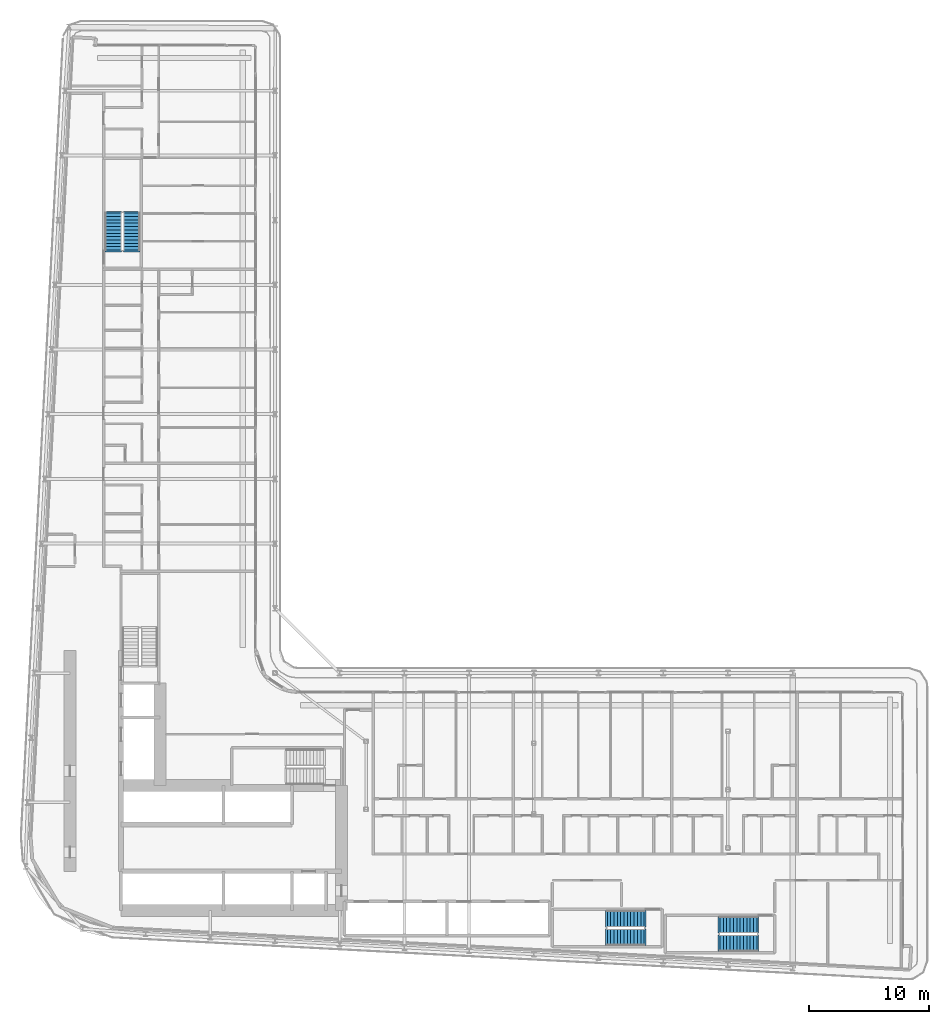
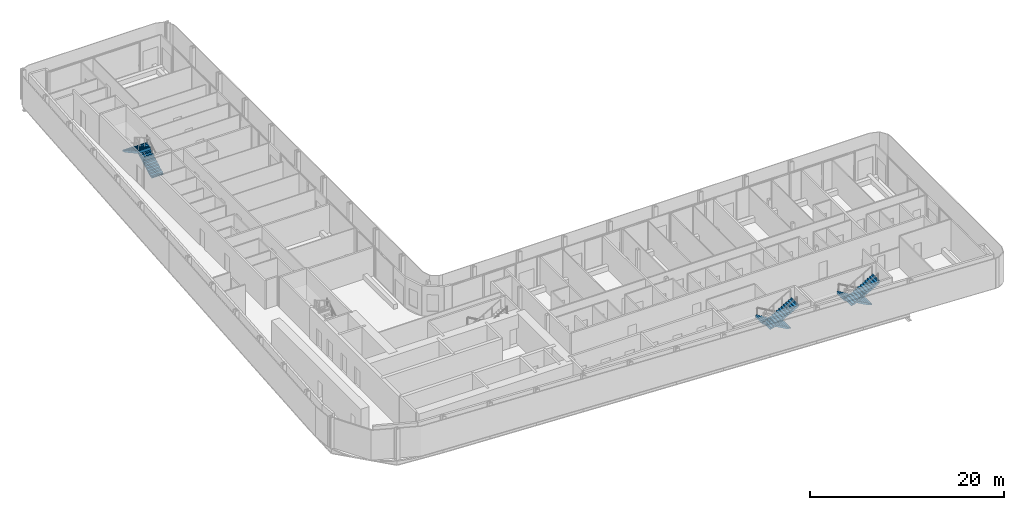
# One storey, part 21 of 28: 6 stair flights, 3 elements without a shape of their own.
"""IFC4 building model written with IfcOpenShell, lengths in metres."""

from ifc_helpers import new_model, si_unit, direction, frame, origin, place, context, subcontext, project, spatial, polyline, outline, extrude, material, layer, layer_set, type_object, element, aggregate, save


model = new_model("IFC4")

# Units and contexts
model_context = context("Model", 3, precision=1e-05, world=origin(), true_north=direction((0.0, 1.0)))
body_context = subcontext(model_context, "Body", "Model", "MODEL_VIEW")
ifc_project = project(units=[si_unit("LENGTHUNIT", "METRE"), si_unit("AREAUNIT", "SQUARE_METRE"), si_unit("VOLUMEUNIT", "CUBIC_METRE"), si_unit("PLANEANGLEUNIT", "RADIAN"), si_unit("MASSUNIT", "GRAM", prefix="KILO")], contexts=[model_context])

# Site, building, storey
site_placement = place(None, origin())
site = spatial("IfcSite", under=ifc_project, at=site_placement, CompositionType="ELEMENT")
building_placement = place(site_placement, origin())
building = spatial("IfcBuilding", under=site, at=building_placement, Name="Kheshtan School and Residences Tower", CompositionType="ELEMENT")
storey_placement = place(building_placement, frame((0.0, 0.0, 73.39990234375)))
storey = spatial("IfcBuildingStorey", under=building, at=storey_placement, Name="L17", CompositionType="ELEMENT", Elevation=73.39990234375)

# Stair, stair flights
ifc_material = material(Name="Concrete C40/50", Category="concrete")
stair_type = type_object("IfcStairType", Name="Exit stair, half-turn", PredefinedType="HALF_TURN_STAIR", material=ifc_material)
stair_1_placement = place(storey_placement, origin())
stair_1 = element("IfcStair", 1, at=stair_1_placement, inside=storey, type_object=stair_type, Name="L17 Protected Exit Stair ST3", PredefinedType="HALF_TURN_STAIR")
ifc_layer = layer(ifc_material, 0.14990234375)
ifc_layer_set = layer_set([ifc_layer], Name="Stair flight 1400 Concrete C40/50")
stair_flight_type = type_object("IfcStairFlightType", Name="Stair flight 1400 Concrete C40/50", PredefinedType="STRAIGHT", material=ifc_layer_set)
stair_flight_1_placement = place(storey_placement, frame((35.64990234375, 80.89990234375, 0.0), z_axis=(0.0, 0.0, 1.0), x_axis=(0.0, 1.0, 0.0)))
stair_flight_1 = element("IfcStairFlight", 2, at=stair_flight_1_placement, type_object=stair_flight_type, Name="ST3 flight 1", NumberOfRisers=12, NumberOfTreads=11, PredefinedType="STRAIGHT", RiserHeight=0.1625, TreadLength=0.28, context=body_context, shape_type="SweptSolid", body=[
    extrude(outline(polyline([(-0.14990234375, -0.10009765625), (-0.14990234375, 0.0), (0.0, 0.0), (0.0, 0.16259765625), (0.280029296875, 0.16259765625), (0.280029296875, 0.324951171875), (0.56005859375, 0.324951171875), (0.56005859375, 0.487548828125), (0.840087890625, 0.487548828125), (0.840087890625, 0.64990234375), (1.1201171875, 0.64990234375), (1.1201171875, 0.8125), (1.39990234375, 0.8125), (1.39990234375, 0.97509765625), (1.679931640625, 0.97509765625), (1.679931640625, 1.137451171875), (1.9599609375, 1.137451171875), (1.9599609375, 1.300048828125), (2.239990234375, 1.300048828125), (2.239990234375, 1.46240234375), (2.52001953125, 1.46240234375), (2.52001953125, 1.625), (2.800048828125, 1.625), (2.800048828125, 1.78759765625), (3.080078125, 1.78759765625), (3.080078125, 1.949951171875), (3.080078125, 1.969970703125), (3.22998046875, 1.969970703125), (3.22998046875, 1.6142578125), (0.298583984375, 0.0), (-0.14990234375, -0.10009765625)])), frame((0.0, 0.699951171875, 0.0), z_axis=(0.0, -1.0, 0.0), x_axis=(1.0, 0.0, 0.0)), (0.0, 0.0, 1.0), 1.39990234375),
])
stair_flight_2_placement = place(storey_placement, frame((34.10009765625, 83.97998046875, 1.9501953125), z_axis=(0.0, 0.0, 1.0), x_axis=(0.0, -1.0, 0.0)))
stair_flight_2 = element("IfcStairFlight", 3, at=stair_flight_2_placement, type_object=stair_flight_type, Name="ST3 flight 2", NumberOfRisers=12, NumberOfTreads=11, PredefinedType="STRAIGHT", RiserHeight=0.1625, TreadLength=0.28, context=body_context, shape_type="SweptSolid", body=[
    extrude(outline(polyline([(-0.14990234375, -0.10009765625), (-0.14990234375, 0.0), (0.0, 0.0), (0.0, 0.16259765625), (0.280029296875, 0.16259765625), (0.280029296875, 0.324951171875), (0.56005859375, 0.324951171875), (0.56005859375, 0.487548828125), (0.840087890625, 0.487548828125), (0.840087890625, 0.64990234375), (1.1201171875, 0.64990234375), (1.1201171875, 0.8125), (1.39990234375, 0.8125), (1.39990234375, 0.97509765625), (1.679931640625, 0.97509765625), (1.679931640625, 1.137451171875), (1.9599609375, 1.137451171875), (1.9599609375, 1.300048828125), (2.239990234375, 1.300048828125), (2.239990234375, 1.46240234375), (2.52001953125, 1.46240234375), (2.52001953125, 1.625), (2.800048828125, 1.625), (2.800048828125, 1.78759765625), (3.080078125, 1.78759765625), (3.080078125, 1.949951171875), (3.080078125, 1.969970703125), (3.22998046875, 1.969970703125), (3.22998046875, 1.6142578125), (0.298583984375, 0.0), (-0.14990234375, -0.10009765625)])), frame((0.0, 0.699951171875, 0.0), z_axis=(0.0, -1.0, 0.0), x_axis=(1.0, 0.0, 0.0)), (0.0, 0.0, 1.0), 1.39990234375),
])
aggregate(stair_1, [stair_flight_1, stair_flight_2])

stair_2_placement = place(storey_placement, origin())
stair_2 = element("IfcStair", 4, at=stair_2_placement, inside=storey, type_object=stair_type, Name="L17 Protected Exit Stair ST4", PredefinedType="HALF_TURN_STAIR")
stair_flight_3_placement = place(storey_placement, frame((87.820068359375, 24.60009765625, 0.0), z_axis=(0.0, 0.0, 1.0), x_axis=(-1.0, 0.0, 0.0)))
stair_flight_3 = element("IfcStairFlight", 5, at=stair_flight_3_placement, type_object=stair_flight_type, Name="ST4 flight 1", NumberOfRisers=12, NumberOfTreads=11, PredefinedType="STRAIGHT", RiserHeight=0.1625, TreadLength=0.28, context=body_context, shape_type="SweptSolid", body=[
    extrude(outline(polyline([(-0.14990234375, -0.10009765625), (-0.14990234375, 0.0), (0.0, 0.0), (0.0, 0.16259765625), (0.280029296875, 0.16259765625), (0.280029296875, 0.324951171875), (0.56005859375, 0.324951171875), (0.56005859375, 0.487548828125), (0.840087890625, 0.487548828125), (0.840087890625, 0.64990234375), (1.1201171875, 0.64990234375), (1.1201171875, 0.8125), (1.39990234375, 0.8125), (1.39990234375, 0.97509765625), (1.679931640625, 0.97509765625), (1.679931640625, 1.137451171875), (1.9599609375, 1.137451171875), (1.9599609375, 1.300048828125), (2.239990234375, 1.300048828125), (2.239990234375, 1.46240234375), (2.52001953125, 1.46240234375), (2.52001953125, 1.625), (2.800048828125, 1.625), (2.800048828125, 1.78759765625), (3.080078125, 1.78759765625), (3.080078125, 1.949951171875), (3.080078125, 1.969970703125), (3.22998046875, 1.969970703125), (3.22998046875, 1.6142578125), (0.298583984375, 0.0), (-0.14990234375, -0.10009765625)])), frame((0.0, 0.699951171875, 0.0), z_axis=(0.0, -1.0, 0.0), x_axis=(1.0, 0.0, 0.0)), (0.0, 0.0, 1.0), 1.39990234375),
])
stair_flight_4_placement = place(storey_placement, frame((84.739990234375, 23.050048828125, 1.9501953125), z_axis=(0.0, 0.0, 1.0), x_axis=(1.0, 0.0, 0.0)))
stair_flight_4 = element("IfcStairFlight", 6, at=stair_flight_4_placement, type_object=stair_flight_type, Name="ST4 flight 2", NumberOfRisers=12, NumberOfTreads=11, PredefinedType="STRAIGHT", RiserHeight=0.1625, TreadLength=0.28, context=body_context, shape_type="SweptSolid", body=[
    extrude(outline(polyline([(-0.14990234375, -0.10009765625), (-0.14990234375, 0.0), (0.0, 0.0), (0.0, 0.16259765625), (0.280029296875, 0.16259765625), (0.280029296875, 0.324951171875), (0.56005859375, 0.324951171875), (0.56005859375, 0.487548828125), (0.840087890625, 0.487548828125), (0.840087890625, 0.64990234375), (1.1201171875, 0.64990234375), (1.1201171875, 0.8125), (1.39990234375, 0.8125), (1.39990234375, 0.97509765625), (1.679931640625, 0.97509765625), (1.679931640625, 1.137451171875), (1.9599609375, 1.137451171875), (1.9599609375, 1.300048828125), (2.239990234375, 1.300048828125), (2.239990234375, 1.46240234375), (2.52001953125, 1.46240234375), (2.52001953125, 1.625), (2.800048828125, 1.625), (2.800048828125, 1.78759765625), (3.080078125, 1.78759765625), (3.080078125, 1.949951171875), (3.080078125, 1.969970703125), (3.22998046875, 1.969970703125), (3.22998046875, 1.6142578125), (0.298583984375, 0.0), (-0.14990234375, -0.10009765625)])), frame((0.0, 0.699951171875, 0.0), z_axis=(0.0, -1.0, 0.0), x_axis=(1.0, 0.0, 0.0)), (0.0, 0.0, 1.0), 1.39990234375),
])
aggregate(stair_2, [stair_flight_3, stair_flight_4])

stair_3_placement = place(storey_placement, origin())
stair_3 = element("IfcStair", 7, at=stair_3_placement, inside=storey, type_object=stair_type, Name="L17 Protected Exit Stair ST5", PredefinedType="HALF_TURN_STAIR")
stair_flight_5_placement = place(storey_placement, frame((78.409912109375, 25.10009765625, 0.0), z_axis=(0.0, 0.0, 1.0), x_axis=(-1.0, 0.0, 0.0)))
stair_flight_5 = element("IfcStairFlight", 8, at=stair_flight_5_placement, type_object=stair_flight_type, Name="ST5 flight 1", NumberOfRisers=12, NumberOfTreads=11, PredefinedType="STRAIGHT", RiserHeight=0.1625, TreadLength=0.28, context=body_context, shape_type="SweptSolid", body=[
    extrude(outline(polyline([(-0.14990234375, -0.10009765625), (-0.14990234375, 0.0), (0.0, 0.0), (0.0, 0.16259765625), (0.280029296875, 0.16259765625), (0.280029296875, 0.324951171875), (0.56005859375, 0.324951171875), (0.56005859375, 0.487548828125), (0.840087890625, 0.487548828125), (0.840087890625, 0.64990234375), (1.1201171875, 0.64990234375), (1.1201171875, 0.8125), (1.39990234375, 0.8125), (1.39990234375, 0.97509765625), (1.679931640625, 0.97509765625), (1.679931640625, 1.137451171875), (1.9599609375, 1.137451171875), (1.9599609375, 1.300048828125), (2.239990234375, 1.300048828125), (2.239990234375, 1.46240234375), (2.52001953125, 1.46240234375), (2.52001953125, 1.625), (2.800048828125, 1.625), (2.800048828125, 1.78759765625), (3.080078125, 1.78759765625), (3.080078125, 1.949951171875), (3.080078125, 1.969970703125), (3.22998046875, 1.969970703125), (3.22998046875, 1.6142578125), (0.298583984375, 0.0), (-0.14990234375, -0.10009765625)])), frame((0.0, 0.699951171875, 0.0), z_axis=(0.0, -1.0, 0.0), x_axis=(1.0, 0.0, 0.0)), (0.0, 0.0, 1.0), 1.39990234375),
])
stair_flight_6_placement = place(storey_placement, frame((75.330078125, 23.550048828125, 1.9501953125), z_axis=(0.0, 0.0, 1.0), x_axis=(1.0, 0.0, 0.0)))
stair_flight_6 = element("IfcStairFlight", 9, at=stair_flight_6_placement, type_object=stair_flight_type, Name="ST5 flight 2", NumberOfRisers=12, NumberOfTreads=11, PredefinedType="STRAIGHT", RiserHeight=0.1625, TreadLength=0.28, context=body_context, shape_type="SweptSolid", body=[
    extrude(outline(polyline([(-0.14990234375, -0.10009765625), (-0.14990234375, 0.0), (0.0, 0.0), (0.0, 0.16259765625), (0.280029296875, 0.16259765625), (0.280029296875, 0.324951171875), (0.56005859375, 0.324951171875), (0.56005859375, 0.487548828125), (0.840087890625, 0.487548828125), (0.840087890625, 0.64990234375), (1.1201171875, 0.64990234375), (1.1201171875, 0.8125), (1.39990234375, 0.8125), (1.39990234375, 0.97509765625), (1.679931640625, 0.97509765625), (1.679931640625, 1.137451171875), (1.9599609375, 1.137451171875), (1.9599609375, 1.300048828125), (2.239990234375, 1.300048828125), (2.239990234375, 1.46240234375), (2.52001953125, 1.46240234375), (2.52001953125, 1.625), (2.800048828125, 1.625), (2.800048828125, 1.78759765625), (3.080078125, 1.78759765625), (3.080078125, 1.949951171875), (3.080078125, 1.969970703125), (3.22998046875, 1.969970703125), (3.22998046875, 1.6142578125), (0.298583984375, 0.0), (-0.14990234375, -0.10009765625)])), frame((0.0, 0.699951171875, 0.0), z_axis=(0.0, -1.0, 0.0), x_axis=(1.0, 0.0, 0.0)), (0.0, 0.0, 1.0), 1.39990234375),
])
aggregate(stair_3, [stair_flight_5, stair_flight_6])

save(model, "model.ifc")
